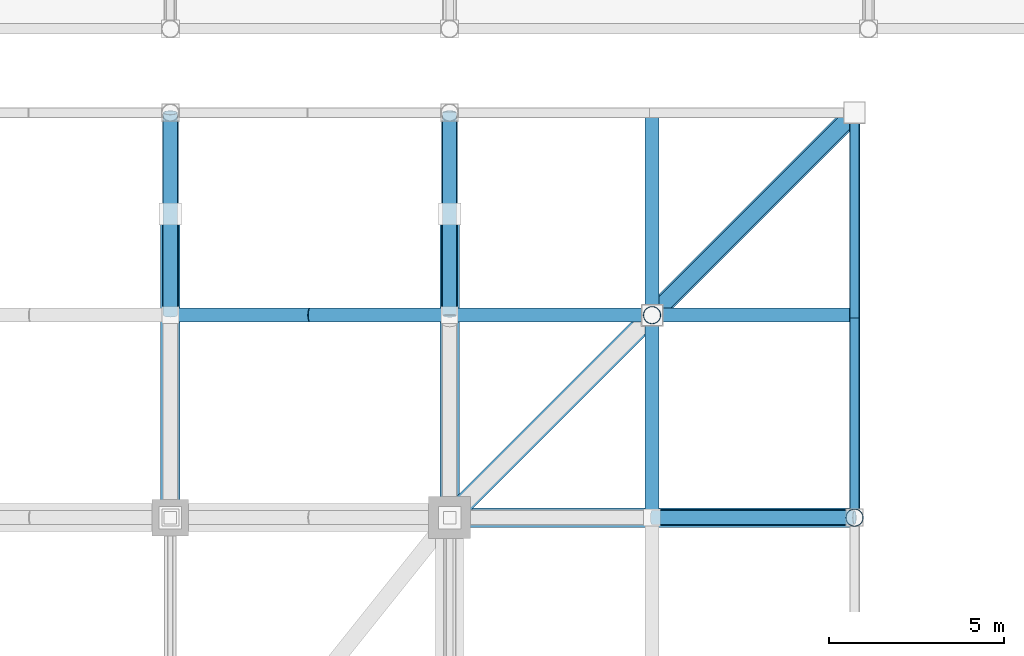
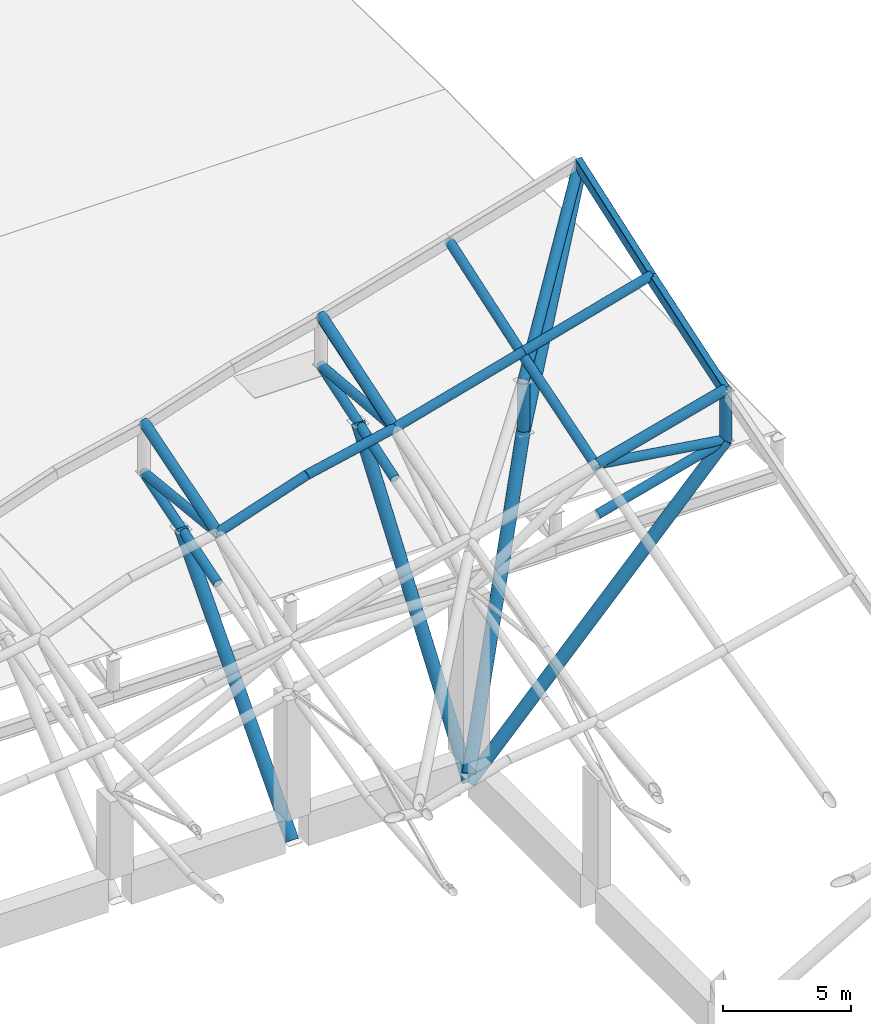
# One storey, part 43 of 75: 24 members, 2 beams.
"""IFC4 building model written with IfcOpenShell, lengths in metres."""

from ifc_helpers import new_model, si_unit, direction, frame, origin, origin_2d, place, context, subcontext, project, spatial, hollow_rectangle, hollow_circle, extrude, material, material_profile, profile_set, type_object, element, save


model = new_model("IFC4")

# Units and contexts
model_context = context("Model", 3, precision=1e-05, world=origin(), true_north=direction((0.0, 1.0)))
body_context = subcontext(model_context, "Body", "Model", "MODEL_VIEW")
ifc_project = project(units=[si_unit("LENGTHUNIT", "METRE"), si_unit("AREAUNIT", "SQUARE_METRE"), si_unit("VOLUMEUNIT", "CUBIC_METRE"), si_unit("PLANEANGLEUNIT", "RADIAN"), si_unit("MASSUNIT", "GRAM", prefix="KILO")], contexts=[model_context])

# Site, building, storey
site_placement = place(None, origin())
site = spatial("IfcSite", under=ifc_project, at=site_placement, CompositionType="ELEMENT")
building_placement = place(site_placement, origin())
building = spatial("IfcBuilding", under=site, at=building_placement, Name="Khorjan Park Terminus", CompositionType="ELEMENT")
storey_placement = place(building_placement, frame((0.0, 0.0, 16.2)))
storey = spatial("IfcBuildingStorey", under=building, at=storey_placement, Name="L03", CompositionType="ELEMENT", Elevation=16.2)

# Members
ifc_material = material(Name="Steel S355", Category="steel")
ifc_material_profile_1 = material_profile(ifc_material, hollow_circle(Radius=0.2032, WallThickness=0.016, at=origin_2d()), Name="CHS 406.4x16")
ifc_profile_set_1 = profile_set([ifc_material_profile_1], Name="Steel S355")
member_type_1 = type_object("IfcMemberType", Name="MB-CHE-406", PredefinedType="CHORD", material=ifc_profile_set_1)
member_1_placement = place(storey_placement, frame((136.0, 93.8, 11.8658), z_axis=(0.0, 0.950488250775, 0.310760494818), x_axis=(-1.0, 0.0, 0.0)))
element("IfcMember", 1, at=member_1_placement, inside=storey, type_object=member_type_1, Name="Upper shell overhang fold purlin TCE-41 (Y30)", PredefinedType="CHORD", context=body_context, shape_type="SweptSolid", body=[
    extrude(hollow_circle(Radius=0.2032, WallThickness=0.016, at=origin_2d()), origin(), (0.0, 0.0, 1.0), 6.1021),
])
member_2_placement = place(storey_placement, frame((141.8, 88.0, 11.5775), z_axis=(0.0, 0.953789220294, 0.300476493676), x_axis=(-1.0, 0.0, 0.0)))
element("IfcMember", 2, at=member_2_placement, inside=storey, type_object=member_type_1, Name="Upper shell overhang fold purlin TCE-41 (Y39)", PredefinedType="CHORD", context=body_context, shape_type="SweptSolid", body=[
    extrude(hollow_circle(Radius=0.2032, WallThickness=0.016, at=origin_2d()), origin(), (0.0, 0.0, 1.0), 6.081),
])
member_3_placement = place(storey_placement, frame((141.8, 93.8, 13.4047), z_axis=(0.0, 0.947051068771, 0.321082969247), x_axis=(-1.0, 0.0, 0.0)))
element("IfcMember", 3, at=member_3_placement, inside=storey, type_object=member_type_1, Name="Upper shell overhang fold purlin TCE-41 (Y40)", PredefinedType="CHORD", context=body_context, shape_type="SweptSolid", body=[
    extrude(hollow_circle(Radius=0.2032, WallThickness=0.016, at=origin_2d()), origin(), (0.0, 0.0, 1.0), 6.1243),
])
member_4_placement = place(storey_placement, frame((128.0, 93.8, 9.8011), z_axis=(0.948279508814, 0.0, 0.317436565575), x_axis=(0.0, 1.0, 0.0)))
element("IfcMember", 4, at=member_4_placement, inside=storey, type_object=member_type_1, Name="Upper shell fold rib chord (263)", PredefinedType="CHORD", context=body_context, shape_type="SweptSolid", body=[
    extrude(hollow_circle(Radius=0.2032, WallThickness=0.016, at=origin_2d()), origin(), (0.0, 0.0, 1.0), 4.2182),
])
member_5_placement = place(storey_placement, frame((132.0, 93.8, 11.1401), z_axis=(0.977371995553, 0.0, 0.211527734137), x_axis=(0.0, 1.0, 0.0)))
element("IfcMember", 5, at=member_5_placement, inside=storey, type_object=member_type_1, Name="Upper shell fold rib chord (264)", PredefinedType="CHORD", context=body_context, shape_type="SweptSolid", body=[
    extrude(hollow_circle(Radius=0.2032, WallThickness=0.016, at=origin_2d()), origin(), (0.0, 0.0, 1.0), 4.0926),
])
member_6_placement = place(storey_placement, frame((136.0, 93.8, 12.0058), z_axis=(0.963612582455, 0.0, 0.267302807571), x_axis=(0.0, 1.0, 0.0)))
element("IfcMember", 6, at=member_6_placement, inside=storey, type_object=member_type_1, Name="Upper shell fold rib chord (265)", PredefinedType="CHORD", context=body_context, shape_type="SweptSolid", body=[
    extrude(hollow_circle(Radius=0.2032, WallThickness=0.016, at=origin_2d()), origin(), (0.0, 0.0, 1.0), 6.019),
])
member_7_placement = place(storey_placement, frame((141.8, 93.8, 13.6147), z_axis=(0.963239486929, 0.0, 0.268644171389), x_axis=(0.0, 1.0, 0.0)))
element("IfcMember", 7, at=member_7_placement, inside=storey, type_object=member_type_1, Name="Upper shell fold rib chord (266)", PredefinedType="CHORD", context=body_context, shape_type="SweptSolid", body=[
    extrude(hollow_circle(Radius=0.2032, WallThickness=0.016, at=origin_2d()), origin(), (0.0, 0.0, 1.0), 6.0213),
])
member_8_placement = place(storey_placement, frame((128.0, 93.8, 7.3611), z_axis=(0.0, 0.955751926517, 0.294173851589), x_axis=(-1.0, 0.0, 0.0)))
element("IfcMember", 8, at=member_8_placement, inside=storey, type_object=member_type_1, Name="Upper shell fold space-truss bottom chord (11)", PredefinedType="CHORD", context=body_context, shape_type="SweptSolid", body=[
    extrude(hollow_circle(Radius=0.2032, WallThickness=0.016, at=origin_2d()), origin(), (0.0, 0.0, 1.0), 6.0685),
])
member_9_placement = place(storey_placement, frame((136.0, 93.8, 9.5658), z_axis=(0.0, 0.950488250775, 0.310760494818), x_axis=(-1.0, 0.0, 0.0)))
element("IfcMember", 9, at=member_9_placement, inside=storey, type_object=member_type_1, Name="Upper shell fold space-truss bottom chord (12)", PredefinedType="CHORD", context=body_context, shape_type="SweptSolid", body=[
    extrude(hollow_circle(Radius=0.2032, WallThickness=0.016, at=origin_2d()), origin(), (0.0, 0.0, 1.0), 6.1021),
])
member_10_placement = place(storey_placement, frame((141.8, 88.0, 9.3475), z_axis=(0.96628745768, 0.0, 0.257465627086), x_axis=(0.0, 1.0, 0.0)))
element("IfcMember", 10, at=member_10_placement, inside=storey, type_object=member_type_1, Name="Upper shell longitudinal truss bottom chord (E4)", PredefinedType="CHORD", context=body_context, shape_type="SweptSolid", body=[
    extrude(hollow_circle(Radius=0.2032, WallThickness=0.016, at=origin_2d()), origin(), (0.0, 0.0, 1.0), 6.0024),
])
ifc_material_profile_2 = material_profile(ifc_material, hollow_circle(Radius=0.2285, WallThickness=0.016, at=origin_2d()), Name="CHS 457x16")
ifc_profile_set_2 = profile_set([ifc_material_profile_2], Name="Steel S355")
member_type_2 = type_object("IfcMemberType", Name="MB-CHE-457", PredefinedType="CHORD", material=ifc_profile_set_2)
member_11_placement = place(storey_placement, frame((128.0, 93.8, 9.7611), z_axis=(0.0, 0.955751926517, 0.294173851589), x_axis=(-1.0, 0.0, 0.0)))
element("IfcMember", 11, at=member_11_placement, inside=storey, type_object=member_type_2, Name="Upper shell fold space-truss top chord (11)", PredefinedType="CHORD", context=body_context, shape_type="SweptSolid", body=[
    extrude(hollow_circle(Radius=0.2285, WallThickness=0.016, at=origin_2d()), origin(), (0.0, 0.0, 1.0), 6.0685),
])
member_12_placement = place(storey_placement, frame((136.0, 93.8, 11.9658), z_axis=(0.0, 0.950488250775, 0.310760494818), x_axis=(-1.0, 0.0, 0.0)))
element("IfcMember", 12, at=member_12_placement, inside=storey, type_object=member_type_2, Name="Upper shell fold space-truss top chord (12)", PredefinedType="CHORD", context=body_context, shape_type="SweptSolid", body=[
    extrude(hollow_circle(Radius=0.2285, WallThickness=0.016, at=origin_2d()), origin(), (0.0, 0.0, 1.0), 6.1021),
])
member_13_placement = place(storey_placement, frame((141.8, 88.0, 11.7475), z_axis=(0.96628745768, 0.0, 0.257465627086), x_axis=(0.0, 1.0, 0.0)))
element("IfcMember", 13, at=member_13_placement, inside=storey, type_object=member_type_2, Name="Upper shell longitudinal truss top chord (E4)", PredefinedType="CHORD", context=body_context, shape_type="SweptSolid", body=[
    extrude(hollow_circle(Radius=0.2285, WallThickness=0.016, at=origin_2d()), origin(), (0.0, 0.0, 1.0), 6.0024),
])
member_14_placement = place(storey_placement, frame((141.8, 93.8, 12.2047), z_axis=(0.61849383505, 0.61849383505, 0.48469655663), x_axis=(-0.707106781187, 0.707106781187, 0.0)))
element("IfcMember", 14, at=member_14_placement, inside=storey, type_object=member_type_2, Name="Upper shell upturned corner spine truss TCE-46 (NE)", PredefinedType="CHORD", context=body_context, shape_type="SweptSolid", body=[
    extrude(hollow_circle(Radius=0.2285, WallThickness=0.016, at=origin_2d()), origin(), (0.0, 0.0, 1.0), 9.3776),
])
ifc_material_profile_3 = material_profile(ifc_material, hollow_circle(Radius=0.2795, WallThickness=0.02, at=origin_2d()), Name="CHS 559x20")
ifc_profile_set_3 = profile_set([ifc_material_profile_3], Name="Steel S355")
member_type_3 = type_object("IfcMemberType", Name="MB-ST-CHS559", PredefinedType="STRUT", material=ifc_profile_set_3)
member_15_placement = place(storey_placement, frame((128.0, 88.0, -1.4), z_axis=(0.0, 0.669460715614, 0.742847460957), x_axis=(-1.0, 0.0, 0.0)))
element("IfcMember", 15, at=member_15_placement, inside=storey, type_object=member_type_3, Name="Upper shell raked overhang V-strut STE-56 (11N)", PredefinedType="STRUT", context=body_context, shape_type="SweptSolid", body=[
    extrude(hollow_circle(Radius=0.2795, WallThickness=0.02, at=origin_2d()), origin(), (0.0, 0.0, 1.0), 12.9955),
])
member_16_placement = place(storey_placement, frame((136.0, 88.0, -1.4), z_axis=(0.0, 0.589737657824, 0.807594882936), x_axis=(-1.0, 0.0, 0.0)))
element("IfcMember", 16, at=member_16_placement, inside=storey, type_object=member_type_3, Name="Upper shell raked overhang V-strut STE-56 (12N)", PredefinedType="STRUT", context=body_context, shape_type="SweptSolid", body=[
    extrude(hollow_circle(Radius=0.2795, WallThickness=0.02, at=origin_2d()), origin(), (0.0, 0.0, 1.0), 14.7523),
])
member_17_placement = place(storey_placement, frame((136.0, 88.0, -1.4), z_axis=(0.686311971477, 0.0, 0.727307278808), x_axis=(0.0, 1.0, 0.0)))
element("IfcMember", 17, at=member_17_placement, inside=storey, type_object=member_type_3, Name="Upper shell raked longitudinal V-strut STE-56 (E4)", PredefinedType="STRUT", context=body_context, shape_type="SweptSolid", body=[
    extrude(hollow_circle(Radius=0.2795, WallThickness=0.02, at=origin_2d()), origin(), (0.0, 0.0, 1.0), 16.9019),
])
member_18_placement = place(storey_placement, frame((136.0, 88.0, -1.0), z_axis=(0.427556645148, 0.427556645148, 0.796486428246), x_axis=(-0.707106781187, 0.707106781187, 0.0)))
element("IfcMember", 18, at=member_18_placement, inside=storey, type_object=member_type_3, Name="Upper shell upturned corner spine truss STE-56 (NE)", PredefinedType="STRUT", context=body_context, shape_type="SweptSolid", body=[
    extrude(hollow_circle(Radius=0.2795, WallThickness=0.02, at=origin_2d()), origin(), (0.0, 0.0, 1.0), 13.5655),
])
member_19_placement = place(storey_placement, frame((141.8, 93.8, 9.8047), z_axis=(0.552704518126, 0.552704518126, 0.623727048705), x_axis=(-0.707106781187, 0.707106781187, 0.0)))
element("IfcMember", 19, at=member_19_placement, inside=storey, type_object=member_type_3, Name="Upper shell upturned corner spine truss STE-56 (NE)", PredefinedType="STRUT", context=body_context, shape_type="SweptSolid", body=[
    extrude(hollow_circle(Radius=0.2795, WallThickness=0.02, at=origin_2d()), origin(), (0.0, 0.0, 1.0), 10.4939),
])
ifc_material_profile_4 = material_profile(ifc_material, hollow_circle(Radius=0.2032, WallThickness=0.016, at=origin_2d()), Name="CHS 406.4x16")
ifc_profile_set_4 = profile_set([ifc_material_profile_4], Name="Steel S355")
member_type_4 = type_object("IfcMemberType", Name="MB-STE-406", PredefinedType="STRUT", material=ifc_profile_set_4)
member_20_placement = place(storey_placement, frame((128.0, 93.8, 9.7611), z_axis=(0.0, 0.994428903913, -0.105409463815), x_axis=(-1.0, 0.0, 0.0)))
element("IfcMember", 20, at=member_20_placement, inside=storey, type_object=member_type_4, Name="Upper shell fold space-truss web diagonal (11)", PredefinedType="STRUT", context=body_context, shape_type="SweptSolid", body=[
    extrude(hollow_circle(Radius=0.2032, WallThickness=0.016, at=origin_2d()), origin(), (0.0, 0.0, 1.0), 5.8325),
])
member_21_placement = place(storey_placement, frame((136.0, 93.8, 11.9658), z_axis=(0.0, 0.996250185573, -0.086519175599), x_axis=(-1.0, 0.0, 0.0)))
element("IfcMember", 21, at=member_21_placement, inside=storey, type_object=member_type_4, Name="Upper shell fold space-truss web diagonal (12)", PredefinedType="STRUT", context=body_context, shape_type="SweptSolid", body=[
    extrude(hollow_circle(Radius=0.2032, WallThickness=0.016, at=origin_2d()), origin(), (0.0, 0.0, 1.0), 5.8218),
])
member_22_placement = place(storey_placement, frame((141.8, 88.0, 11.7475), z_axis=(0.989318367267, 0.0, -0.145770944253), x_axis=(0.0, 1.0, 0.0)))
element("IfcMember", 22, at=member_22_placement, inside=storey, type_object=member_type_4, Name="Upper shell longitudinal truss diagonal (E4)", PredefinedType="STRUT", context=body_context, shape_type="SweptSolid", body=[
    extrude(hollow_circle(Radius=0.2032, WallThickness=0.016, at=origin_2d()), origin(), (0.0, 0.0, 1.0), 5.8626),
])
ifc_material_profile_5 = material_profile(ifc_material, hollow_circle(Radius=0.254, WallThickness=0.02, at=origin_2d()), Name="CHS 508x20")
ifc_profile_set_5 = profile_set([ifc_material_profile_5], Name="Steel S355")
member_type_5 = type_object("IfcMemberType", Name="MB-STE-508", PredefinedType="STRUT", material=ifc_profile_set_5)
for number, where, z_axis, x_axis, name in (
    (23, (147.6, 88.0, 10.8929), (0.0, 0.0, 1.0), (1.0, 0.0, 0.0), "Upper shell longitudinal tip post (E4)"),
    (24, (141.8, 93.8, 9.8047), (0.0, 0.0, 1.0), (1.0, 0.0, 0.0), "Upper shell upturned corner spine truss STE-51 (NE)"),
):
    element("IfcMember", number, at=place(storey_placement, frame(where, z_axis=z_axis, x_axis=x_axis)), inside=storey, type_object=member_type_5, Name=name, PredefinedType="STRUT", context=body_context, shape_type="SweptSolid", body=[
        extrude(hollow_circle(Radius=0.254, WallThickness=0.02, at=origin_2d()), origin(), (0.0, 0.0, 1.0), 2.4),
    ])

# Beams
ifc_material_profile_6 = material_profile(ifc_material, hollow_rectangle(XDim=0.3, YDim=0.5, WallThickness=0.016, InnerFilletRadius=0.016, OuterFilletRadius=0.032, at=origin_2d()), Name="RHS 500x300x16")
ifc_profile_set_6 = profile_set([ifc_material_profile_6], Name="Steel S355")
beam_type = type_object("IfcBeamType", Name="SP-RHS500", PredefinedType="SPANDREL", material=ifc_profile_set_6)
beam_1_placement = place(storey_placement, frame((147.6, 88.0, 13.1929), z_axis=(0.0, 0.950338107828, 0.311219345174), x_axis=(-1.0, 0.0, 0.0)))
element("IfcBeam", 25, at=beam_1_placement, inside=storey, type_object=beam_type, Name="Upper folded shell upturned perimeter edge beam SP-R50 (71)", PredefinedType="SPANDREL", context=body_context, shape_type="SweptSolid", body=[
    extrude(hollow_rectangle(XDim=0.3, YDim=0.5, WallThickness=0.016, InnerFilletRadius=0.016, OuterFilletRadius=0.032, at=origin_2d()), origin(), (0.0, 0.0, 1.0), 6.1031),
])
beam_2_placement = place(storey_placement, frame((147.6, 93.8, 15.0923), z_axis=(0.0, 0.943975016582, 0.330016920883), x_axis=(-1.0, 0.0, 0.0)))
element("IfcBeam", 26, at=beam_2_placement, inside=storey, type_object=beam_type, Name="Upper folded shell upturned perimeter edge beam SP-R50 (72)", PredefinedType="SPANDREL", context=body_context, shape_type="SweptSolid", body=[
    extrude(hollow_rectangle(XDim=0.3, YDim=0.5, WallThickness=0.016, InnerFilletRadius=0.016, OuterFilletRadius=0.032, at=origin_2d()), origin(), (0.0, 0.0, 1.0), 6.1442),
])

save(model, "model.ifc")
